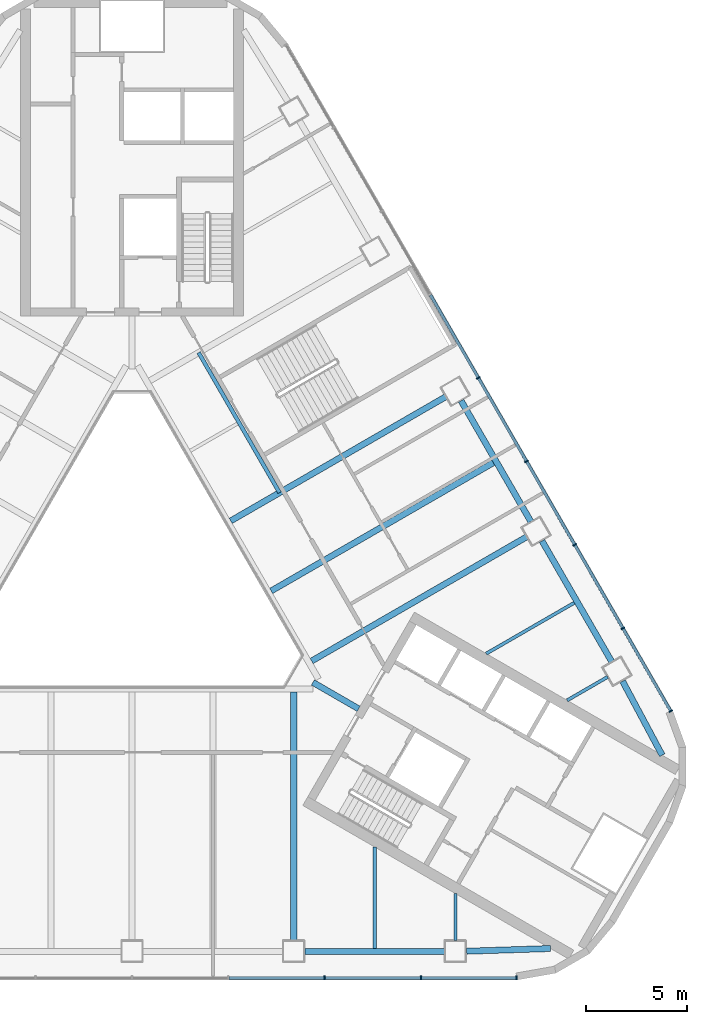
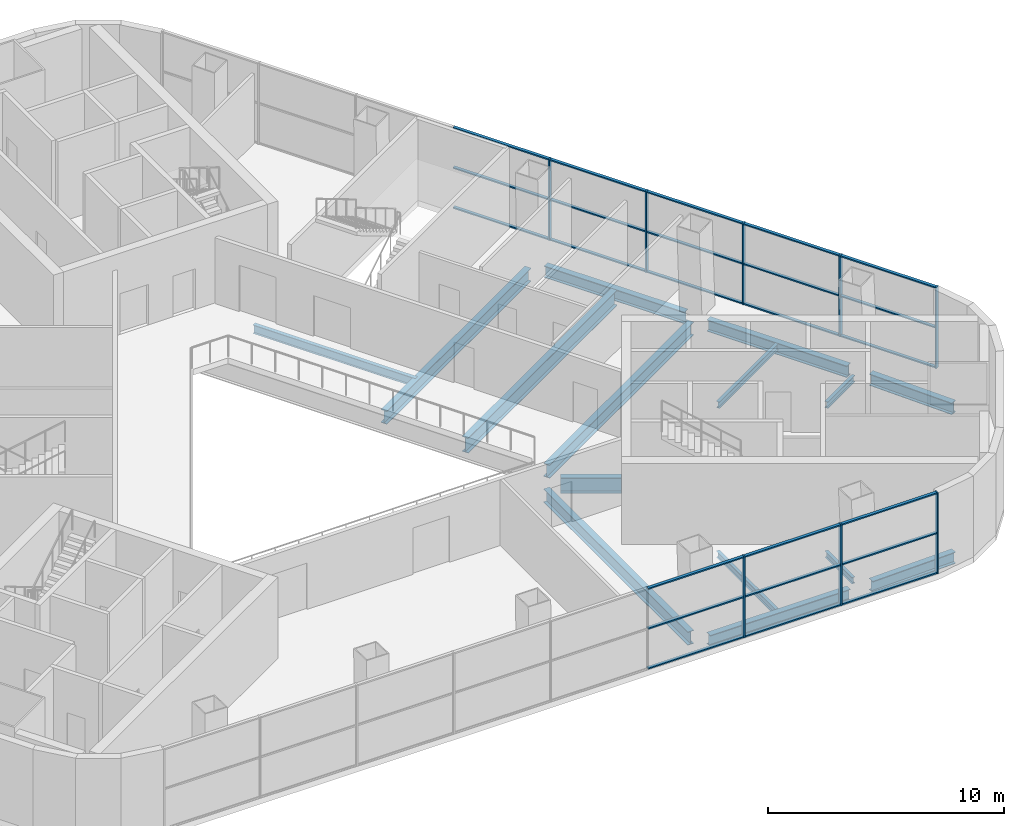
# One storey, part 4 of 12: 32 members, 15 beams, 2 elements without a shape of their own.
"""IFC4 building model written with IfcOpenShell, lengths in metres."""

from ifc_helpers import new_model, si_unit, direction, frame, origin, origin_2d, place, context, subcontext, project, spatial, rectangle, i_section, extrude, material, layer, layer_set, material_profile, profile_set, type_object, element, aggregate, save


model = new_model("IFC4")

# Units and contexts
model_context = context("Model", 3, precision=1e-05, world=origin(), true_north=direction((0.0, 1.0)))
body_context = subcontext(model_context, "Body", "Model", "MODEL_VIEW")
ifc_project = project(units=[si_unit("LENGTHUNIT", "METRE"), si_unit("AREAUNIT", "SQUARE_METRE"), si_unit("VOLUMEUNIT", "CUBIC_METRE"), si_unit("PLANEANGLEUNIT", "RADIAN"), si_unit("MASSUNIT", "GRAM", prefix="KILO")], contexts=[model_context])

# Site, building, storey
site_placement = place(None, origin())
site = spatial("IfcSite", under=ifc_project, at=site_placement, CompositionType="ELEMENT")
building_placement = place(site_placement, origin())
building = spatial("IfcBuilding", under=site, at=building_placement, Name="Apuvela Tower Hotel", CompositionType="ELEMENT")
storey_placement = place(building_placement, frame((0.0, 0.0, 28.5)))
storey = spatial("IfcBuildingStorey", under=building, at=storey_placement, Name="L04", CompositionType="ELEMENT", Elevation=28.5)

# Curtain wall, members
ifc_material_1 = material(Name="Aluminium 6063-T6, dark bronze anodised", Category="aluminium")
ifc_layer = layer(ifc_material_1, 0.199951171875)
ifc_layer_set = layer_set([ifc_layer], Name="ENV-CW-P")
curtain_wall_type = type_object("IfcCurtainWallType", Name="ENV-CW-P", PredefinedType="NOTDEFINED", material=ifc_layer_set)
curtain_wall_1_placement = place(storey_placement, origin())
curtain_wall_1 = element("IfcCurtainWall", 1, at=curtain_wall_1_placement, inside=storey, type_object=curtain_wall_type, Name="Curtain wall CW-P S L04", PredefinedType="NOTDEFINED")
ifc_material_profile_1 = material_profile(ifc_material_1, rectangle(XDim=0.199951171875, YDim=0.06494140625, at=origin_2d()), Name="AL 65x200")
ifc_profile_set_1 = profile_set([ifc_material_profile_1], Name="Aluminium 6063-T6, dark bronze anodised")
member_type_1 = type_object("IfcMemberType", Name="ENV-MULLION-65x200", PredefinedType="MULLION", material=ifc_profile_set_1)
member_1_placement = place(storey_placement, frame((9.496337890625, -19.71435546875, 0.0), z_axis=(0.0, 0.0, 1.0), x_axis=(0.0, 1.0, 0.0)))
member_1 = element("IfcMember", 2, at=member_1_placement, type_object=member_type_1, Name="CW-P mullion 7", PredefinedType="MULLION", context=body_context, shape_type="SweptSolid", body=[
    extrude(rectangle(XDim=0.199951171875, YDim=0.06494140625, at=origin_2d()), origin(), (0.0, 0.0, 1.0), 4.199951171875),
])
member_2_placement = place(storey_placement, frame((14.244384765625, -19.71435546875, 0.0), z_axis=(0.0, 0.0, 1.0), x_axis=(0.0, 1.0, 0.0)))
member_2 = element("IfcMember", 3, at=member_2_placement, type_object=member_type_1, Name="CW-P mullion 8", PredefinedType="MULLION", context=body_context, shape_type="SweptSolid", body=[
    extrude(rectangle(XDim=0.199951171875, YDim=0.06494140625, at=origin_2d()), origin(), (0.0, 0.0, 1.0), 4.199951171875),
])
member_3_placement = place(storey_placement, frame((18.9599609375, -19.71435546875, 0.0), z_axis=(0.0, 0.0, 1.0), x_axis=(0.0, 1.0, 0.0)))
member_3 = element("IfcMember", 4, at=member_3_placement, type_object=member_type_1, Name="CW-P mullion 9", PredefinedType="MULLION", context=body_context, shape_type="SweptSolid", body=[
    extrude(rectangle(XDim=0.199951171875, YDim=0.06494140625, at=origin_2d()), origin(), (0.0, 0.0, 1.0), 4.199951171875),
])

curtain_wall_2_placement = place(storey_placement, origin())
curtain_wall_2 = element("IfcCurtainWall", 5, at=curtain_wall_2_placement, inside=storey, type_object=curtain_wall_type, Name="Curtain wall CW-P NE L04", PredefinedType="NOTDEFINED")
member_4_placement = place(storey_placement, frame((26.55322265625, -6.562744140625, 0.0), z_axis=(0.0, 0.0, 1.0), x_axis=(-0.866024428615, -0.500001689039, 0.0)))
member_4 = element("IfcMember", 6, at=member_4_placement, type_object=member_type_1, Name="CW-P mullion 1", PredefinedType="MULLION", context=body_context, shape_type="SweptSolid", body=[
    extrude(rectangle(XDim=0.199951171875, YDim=0.06494140625, at=origin_2d()), origin(), (0.0, 0.0, 1.0), 4.199951171875),
])
member_5_placement = place(storey_placement, frame((24.1953125, -2.478759765625, 0.0), z_axis=(0.0, 0.0, 1.0), x_axis=(-0.866024428615, -0.500001689039, 0.0)))
member_5 = element("IfcMember", 7, at=member_5_placement, type_object=member_type_1, Name="CW-P mullion 2", PredefinedType="MULLION", context=body_context, shape_type="SweptSolid", body=[
    extrude(rectangle(XDim=0.199951171875, YDim=0.06494140625, at=origin_2d()), origin(), (0.0, 0.0, 1.0), 4.199951171875),
])
member_6_placement = place(storey_placement, frame((21.8212890625, 1.63330078125, 0.0), z_axis=(0.0, 0.0, 1.0), x_axis=(-0.866024428615, -0.500001689039, 0.0)))
member_6 = element("IfcMember", 8, at=member_6_placement, type_object=member_type_1, Name="CW-P mullion 3", PredefinedType="MULLION", context=body_context, shape_type="SweptSolid", body=[
    extrude(rectangle(XDim=0.199951171875, YDim=0.06494140625, at=origin_2d()), origin(), (0.0, 0.0, 1.0), 4.199951171875),
])
member_7_placement = place(storey_placement, frame((19.447265625, 5.7451171875, 0.0), z_axis=(0.0, 0.0, 1.0), x_axis=(-0.866024428615, -0.500001689039, 0.0)))
member_7 = element("IfcMember", 9, at=member_7_placement, type_object=member_type_1, Name="CW-P mullion 4", PredefinedType="MULLION", context=body_context, shape_type="SweptSolid", body=[
    extrude(rectangle(XDim=0.199951171875, YDim=0.06494140625, at=origin_2d()), origin(), (0.0, 0.0, 1.0), 4.199951171875),
])
member_8_placement = place(storey_placement, frame((17.072998046875, 9.857177734375, 0.0), z_axis=(0.0, 0.0, 1.0), x_axis=(-0.866024428615, -0.500001689039, 0.0)))
member_8 = element("IfcMember", 10, at=member_8_placement, type_object=member_type_1, Name="CW-P mullion 5", PredefinedType="MULLION", context=body_context, shape_type="SweptSolid", body=[
    extrude(rectangle(XDim=0.199951171875, YDim=0.06494140625, at=origin_2d()), origin(), (0.0, 0.0, 1.0), 4.199951171875),
])

# Member
ifc_material_profile_2 = material_profile(ifc_material_1, rectangle(XDim=0.14990234375, YDim=0.06494140625, at=origin_2d()), Name="AL 65x150 transom")
ifc_profile_set_2 = profile_set([ifc_material_profile_2], Name="Aluminium 6063-T6, dark bronze anodised")
member_type_2 = type_object("IfcMemberType", Name="ENV-TRANSOM-65x150", PredefinedType="USERDEFINED", material=ifc_profile_set_2)
member_9_placement = place(storey_placement, frame((4.780517578125, -19.71435546875, 0.032470703125), z_axis=(1.0, 0.0, 0.0), x_axis=(0.0, 1.0, 0.0)))
member_9 = element("IfcMember", 11, at=member_9_placement, type_object=member_type_2, Name="CW-P transom 6.1", ObjectType="TRANSOM", PredefinedType="USERDEFINED", context=body_context, shape_type="SweptSolid", body=[
    extrude(rectangle(XDim=0.14990234375, YDim=0.06494140625, at=origin_2d()), origin(), (0.0, 0.0, 1.0), 4.683349609375),
])

member_10_placement = place(storey_placement, frame((4.780517578125, -19.71435546875, 2.10009765625), z_axis=(1.0, 0.0, 0.0), x_axis=(0.0, 1.0, 0.0)))
member_10 = element("IfcMember", 12, at=member_10_placement, type_object=member_type_2, Name="CW-P transom 6.2", ObjectType="TRANSOM", PredefinedType="USERDEFINED", context=body_context, shape_type="SweptSolid", body=[
    extrude(rectangle(XDim=0.14990234375, YDim=0.06494140625, at=origin_2d()), origin(), (0.0, 0.0, 1.0), 4.683349609375),
])

member_11_placement = place(storey_placement, frame((4.780517578125, -19.71435546875, 4.16748046875), z_axis=(1.0, 0.0, 0.0), x_axis=(0.0, 1.0, 0.0)))
member_11 = element("IfcMember", 13, at=member_11_placement, type_object=member_type_2, Name="CW-P transom 6.3", ObjectType="TRANSOM", PredefinedType="USERDEFINED", context=body_context, shape_type="SweptSolid", body=[
    extrude(rectangle(XDim=0.14990234375, YDim=0.06494140625, at=origin_2d()), origin(), (0.0, 0.0, 1.0), 4.683349609375),
])

member_12_placement = place(storey_placement, frame((9.52880859375, -19.71435546875, 0.032470703125), z_axis=(1.0, 0.0, 0.0), x_axis=(0.0, 1.0, 0.0)))
member_12 = element("IfcMember", 14, at=member_12_placement, type_object=member_type_2, Name="CW-P transom 7.1", ObjectType="TRANSOM", PredefinedType="USERDEFINED", context=body_context, shape_type="SweptSolid", body=[
    extrude(rectangle(XDim=0.14990234375, YDim=0.06494140625, at=origin_2d()), origin(), (0.0, 0.0, 1.0), 4.68310546875),
])

member_13_placement = place(storey_placement, frame((9.52880859375, -19.71435546875, 2.10009765625), z_axis=(1.0, 0.0, 0.0), x_axis=(0.0, 1.0, 0.0)))
member_13 = element("IfcMember", 15, at=member_13_placement, type_object=member_type_2, Name="CW-P transom 7.2", ObjectType="TRANSOM", PredefinedType="USERDEFINED", context=body_context, shape_type="SweptSolid", body=[
    extrude(rectangle(XDim=0.14990234375, YDim=0.06494140625, at=origin_2d()), origin(), (0.0, 0.0, 1.0), 4.68310546875),
])

member_14_placement = place(storey_placement, frame((9.52880859375, -19.71435546875, 4.16748046875), z_axis=(1.0, 0.0, 0.0), x_axis=(0.0, 1.0, 0.0)))
member_14 = element("IfcMember", 16, at=member_14_placement, type_object=member_type_2, Name="CW-P transom 7.3", ObjectType="TRANSOM", PredefinedType="USERDEFINED", context=body_context, shape_type="SweptSolid", body=[
    extrude(rectangle(XDim=0.14990234375, YDim=0.06494140625, at=origin_2d()), origin(), (0.0, 0.0, 1.0), 4.68310546875),
])

member_15_placement = place(storey_placement, frame((14.27685546875, -19.71435546875, 0.032470703125), z_axis=(1.0, 0.0, 0.0), x_axis=(0.0, 1.0, 0.0)))
member_15 = element("IfcMember", 17, at=member_15_placement, type_object=member_type_2, Name="CW-P transom 8.1", ObjectType="TRANSOM", PredefinedType="USERDEFINED", context=body_context, shape_type="SweptSolid", body=[
    extrude(rectangle(XDim=0.14990234375, YDim=0.06494140625, at=origin_2d()), origin(), (0.0, 0.0, 1.0), 4.650634765625),
])

member_16_placement = place(storey_placement, frame((14.27685546875, -19.71435546875, 2.10009765625), z_axis=(1.0, 0.0, 0.0), x_axis=(0.0, 1.0, 0.0)))
member_16 = element("IfcMember", 18, at=member_16_placement, type_object=member_type_2, Name="CW-P transom 8.2", ObjectType="TRANSOM", PredefinedType="USERDEFINED", context=body_context, shape_type="SweptSolid", body=[
    extrude(rectangle(XDim=0.14990234375, YDim=0.06494140625, at=origin_2d()), origin(), (0.0, 0.0, 1.0), 4.650634765625),
])

member_17_placement = place(storey_placement, frame((14.27685546875, -19.71435546875, 4.16748046875), z_axis=(1.0, 0.0, 0.0), x_axis=(0.0, 1.0, 0.0)))
member_17 = element("IfcMember", 19, at=member_17_placement, type_object=member_type_2, Name="CW-P transom 8.3", ObjectType="TRANSOM", PredefinedType="USERDEFINED", context=body_context, shape_type="SweptSolid", body=[
    extrude(rectangle(XDim=0.14990234375, YDim=0.06494140625, at=origin_2d()), origin(), (0.0, 0.0, 1.0), 4.650634765625),
])

aggregate(curtain_wall_1, [member_1, member_2, member_3, member_9, member_10, member_11, member_12, member_13, member_14, member_15, member_16, member_17])

member_18_placement = place(storey_placement, frame((26.536865234375, -6.534423828125, 0.032470703125), z_axis=(-0.499978447692, 0.866037846658, 0.0), x_axis=(-0.866037846658, -0.499978447692, 0.0)))
member_18 = element("IfcMember", 20, at=member_18_placement, type_object=member_type_2, Name="CW-P transom 1.1", ObjectType="TRANSOM", PredefinedType="USERDEFINED", context=body_context, shape_type="SweptSolid", body=[
    extrude(rectangle(XDim=0.14990234375, YDim=0.06494140625, at=origin_2d()), origin(), (0.0, 0.0, 1.0), 4.650634765625),
])

member_19_placement = place(storey_placement, frame((26.536865234375, -6.534423828125, 2.10009765625), z_axis=(-0.499978447692, 0.866037846658, 0.0), x_axis=(-0.866037846658, -0.499978447692, 0.0)))
member_19 = element("IfcMember", 21, at=member_19_placement, type_object=member_type_2, Name="CW-P transom 1.2", ObjectType="TRANSOM", PredefinedType="USERDEFINED", context=body_context, shape_type="SweptSolid", body=[
    extrude(rectangle(XDim=0.14990234375, YDim=0.06494140625, at=origin_2d()), origin(), (0.0, 0.0, 1.0), 4.650634765625),
])

member_20_placement = place(storey_placement, frame((26.536865234375, -6.534423828125, 4.16748046875), z_axis=(-0.499978447692, 0.866037846658, 0.0), x_axis=(-0.866037846658, -0.499978447692, 0.0)))
member_20 = element("IfcMember", 22, at=member_20_placement, type_object=member_type_2, Name="CW-P transom 1.3", ObjectType="TRANSOM", PredefinedType="USERDEFINED", context=body_context, shape_type="SweptSolid", body=[
    extrude(rectangle(XDim=0.14990234375, YDim=0.06494140625, at=origin_2d()), origin(), (0.0, 0.0, 1.0), 4.650634765625),
])

member_21_placement = place(storey_placement, frame((24.178955078125, -2.45068359375, 0.032470703125), z_axis=(-0.500002241493, 0.866024109654, 0.0), x_axis=(-0.866024109654, -0.500002241493, 0.0)))
member_21 = element("IfcMember", 23, at=member_21_placement, type_object=member_type_2, Name="CW-P transom 2.1", ObjectType="TRANSOM", PredefinedType="USERDEFINED", context=body_context, shape_type="SweptSolid", body=[
    extrude(rectangle(XDim=0.14990234375, YDim=0.06494140625, at=origin_2d()), origin(), (0.0, 0.0, 1.0), 4.68310546875),
])

member_22_placement = place(storey_placement, frame((24.178955078125, -2.45068359375, 2.10009765625), z_axis=(-0.500002241493, 0.866024109654, 0.0), x_axis=(-0.866024109654, -0.500002241493, 0.0)))
member_22 = element("IfcMember", 24, at=member_22_placement, type_object=member_type_2, Name="CW-P transom 2.2", ObjectType="TRANSOM", PredefinedType="USERDEFINED", context=body_context, shape_type="SweptSolid", body=[
    extrude(rectangle(XDim=0.14990234375, YDim=0.06494140625, at=origin_2d()), origin(), (0.0, 0.0, 1.0), 4.68310546875),
])

member_23_placement = place(storey_placement, frame((24.178955078125, -2.45068359375, 4.16748046875), z_axis=(-0.500002241493, 0.866024109654, 0.0), x_axis=(-0.866024109654, -0.500002241493, 0.0)))
member_23 = element("IfcMember", 25, at=member_23_placement, type_object=member_type_2, Name="CW-P transom 2.3", ObjectType="TRANSOM", PredefinedType="USERDEFINED", context=body_context, shape_type="SweptSolid", body=[
    extrude(rectangle(XDim=0.14990234375, YDim=0.06494140625, at=origin_2d()), origin(), (0.0, 0.0, 1.0), 4.68310546875),
])

member_24_placement = place(storey_placement, frame((21.804931640625, 1.661376953125, 0.032470703125), z_axis=(-0.500002241493, 0.866024109654, 0.0), x_axis=(-0.866024109654, -0.500002241493, 0.0)))
member_24 = element("IfcMember", 26, at=member_24_placement, type_object=member_type_2, Name="CW-P transom 3.1", ObjectType="TRANSOM", PredefinedType="USERDEFINED", context=body_context, shape_type="SweptSolid", body=[
    extrude(rectangle(XDim=0.14990234375, YDim=0.06494140625, at=origin_2d()), origin(), (0.0, 0.0, 1.0), 4.68310546875),
])

member_25_placement = place(storey_placement, frame((21.804931640625, 1.661376953125, 2.10009765625), z_axis=(-0.500002241493, 0.866024109654, 0.0), x_axis=(-0.866024109654, -0.500002241493, 0.0)))
member_25 = element("IfcMember", 27, at=member_25_placement, type_object=member_type_2, Name="CW-P transom 3.2", ObjectType="TRANSOM", PredefinedType="USERDEFINED", context=body_context, shape_type="SweptSolid", body=[
    extrude(rectangle(XDim=0.14990234375, YDim=0.06494140625, at=origin_2d()), origin(), (0.0, 0.0, 1.0), 4.68310546875),
])

member_26_placement = place(storey_placement, frame((21.804931640625, 1.661376953125, 4.16748046875), z_axis=(-0.500002241493, 0.866024109654, 0.0), x_axis=(-0.866024109654, -0.500002241493, 0.0)))
member_26 = element("IfcMember", 28, at=member_26_placement, type_object=member_type_2, Name="CW-P transom 3.3", ObjectType="TRANSOM", PredefinedType="USERDEFINED", context=body_context, shape_type="SweptSolid", body=[
    extrude(rectangle(XDim=0.14990234375, YDim=0.06494140625, at=origin_2d()), origin(), (0.0, 0.0, 1.0), 4.68310546875),
])

member_27_placement = place(storey_placement, frame((19.430908203125, 5.7734375, 0.032470703125), z_axis=(-0.500002241493, 0.866024109654, 0.0), x_axis=(-0.866024109654, -0.500002241493, 0.0)))
member_27 = element("IfcMember", 29, at=member_27_placement, type_object=member_type_2, Name="CW-P transom 4.1", ObjectType="TRANSOM", PredefinedType="USERDEFINED", context=body_context, shape_type="SweptSolid", body=[
    extrude(rectangle(XDim=0.14990234375, YDim=0.06494140625, at=origin_2d()), origin(), (0.0, 0.0, 1.0), 4.68310546875),
])

member_28_placement = place(storey_placement, frame((19.430908203125, 5.7734375, 2.10009765625), z_axis=(-0.500002241493, 0.866024109654, 0.0), x_axis=(-0.866024109654, -0.500002241493, 0.0)))
member_28 = element("IfcMember", 30, at=member_28_placement, type_object=member_type_2, Name="CW-P transom 4.2", ObjectType="TRANSOM", PredefinedType="USERDEFINED", context=body_context, shape_type="SweptSolid", body=[
    extrude(rectangle(XDim=0.14990234375, YDim=0.06494140625, at=origin_2d()), origin(), (0.0, 0.0, 1.0), 4.68310546875),
])

member_29_placement = place(storey_placement, frame((19.430908203125, 5.7734375, 4.16748046875), z_axis=(-0.500002241493, 0.866024109654, 0.0), x_axis=(-0.866024109654, -0.500002241493, 0.0)))
member_29 = element("IfcMember", 31, at=member_29_placement, type_object=member_type_2, Name="CW-P transom 4.3", ObjectType="TRANSOM", PredefinedType="USERDEFINED", context=body_context, shape_type="SweptSolid", body=[
    extrude(rectangle(XDim=0.14990234375, YDim=0.06494140625, at=origin_2d()), origin(), (0.0, 0.0, 1.0), 4.68310546875),
])

member_30_placement = place(storey_placement, frame((17.056884765625, 9.88525390625, 0.032470703125), z_axis=(-0.499979668266, 0.866037141998, 0.0), x_axis=(-0.866037141998, -0.499979668266, 0.0)))
member_30 = element("IfcMember", 32, at=member_30_placement, type_object=member_type_2, Name="CW-P transom 5.1", ObjectType="TRANSOM", PredefinedType="USERDEFINED", context=body_context, shape_type="SweptSolid", body=[
    extrude(rectangle(XDim=0.14990234375, YDim=0.06494140625, at=origin_2d()), origin(), (0.0, 0.0, 1.0), 4.683349609375),
])

member_31_placement = place(storey_placement, frame((17.056884765625, 9.88525390625, 2.10009765625), z_axis=(-0.499979668266, 0.866037141998, 0.0), x_axis=(-0.866037141998, -0.499979668266, 0.0)))
member_31 = element("IfcMember", 33, at=member_31_placement, type_object=member_type_2, Name="CW-P transom 5.2", ObjectType="TRANSOM", PredefinedType="USERDEFINED", context=body_context, shape_type="SweptSolid", body=[
    extrude(rectangle(XDim=0.14990234375, YDim=0.06494140625, at=origin_2d()), origin(), (0.0, 0.0, 1.0), 4.683349609375),
])

member_32_placement = place(storey_placement, frame((17.056884765625, 9.88525390625, 4.16748046875), z_axis=(-0.499979668266, 0.866037141998, 0.0), x_axis=(-0.866037141998, -0.499979668266, 0.0)))
member_32 = element("IfcMember", 34, at=member_32_placement, type_object=member_type_2, Name="CW-P transom 5.3", ObjectType="TRANSOM", PredefinedType="USERDEFINED", context=body_context, shape_type="SweptSolid", body=[
    extrude(rectangle(XDim=0.14990234375, YDim=0.06494140625, at=origin_2d()), origin(), (0.0, 0.0, 1.0), 4.683349609375),
])

aggregate(curtain_wall_2, [member_4, member_5, member_6, member_7, member_8, member_18, member_19, member_20, member_21, member_22, member_23, member_24, member_25, member_26, member_27, member_28, member_29, member_30, member_31, member_32])

# Beams
ifc_material_2 = material(Name="Steel S355", Category="steel")
ifc_material_profile_3 = material_profile(ifc_material_2, i_section(OverallWidth=0.300048828125, OverallDepth=0.68994140625, WebThickness=0.014404296875, FlangeThickness=0.027099609375, at=origin_2d()), Name="HE 700 A")
ifc_profile_set_3 = profile_set([ifc_material_profile_3], Name="Steel S355")
beam_type_1 = type_object("IfcBeamType", Name="STR-B floor beam HE 700 A", PredefinedType="BEAM", material=ifc_profile_set_3)
for number, where, z_axis, x_axis, name in (
    (35, (19.4580078125, 2.0263671875, -0.64501953125), (-0.866025514229, -0.499999808704, 0.0), (0.499999808704, -0.866025514229, 0.0), "Floor beam B6 NE3"),
    (36, (15.470947265625, 8.93212890625, -0.64501953125), (-0.866025514229, -0.499999808704, 0.0), (0.499999808704, -0.866025514229, 0.0), "Floor beam B6 NE5"),
    (37, (7.97412109375, -17.8642578125, -0.64501953125), (0.0, 1.0, 0.0), (-1.0, 0.0, 0.0), "Floor beam B6 S7"),
):
    element("IfcBeam", number, at=place(storey_placement, frame(where, z_axis=z_axis, x_axis=x_axis)), inside=storey, type_object=beam_type_1, Name=name, PredefinedType="BEAM", context=body_context, shape_type="SweptSolid", body=[
        extrude(i_section(OverallWidth=0.300048828125, OverallDepth=0.68994140625, WebThickness=0.014404296875, FlangeThickness=0.027099609375, at=origin_2d()), origin(), (0.0, 0.0, 1.0), 12.2421875),
    ])
ifc_material_profile_4 = material_profile(ifc_material_2, i_section(OverallWidth=0.300048828125, OverallDepth=0.7900390625, WebThickness=0.014892578125, FlangeThickness=0.028076171875, at=origin_2d()), Name="HE 800 A")
ifc_profile_set_4 = profile_set([ifc_material_profile_4], Name="Steel S355")
beam_type_2 = type_object("IfcBeamType", Name="STR-B floor beam HE 800 A", PredefinedType="BEAM", material=ifc_profile_set_4)
beam_1_placement = place(storey_placement, frame((17.810791015625, 5.67919921875, -0.695068359375), z_axis=(-0.866027685155, -0.49999604853, 0.0), x_axis=(0.49999604853, -0.866027685155, 0.0)))
element("IfcBeam", 38, at=beam_1_placement, inside=storey, type_object=beam_type_2, Name="Floor beam B5 NE4", PredefinedType="BEAM", context=body_context, shape_type="SweptSolid", body=[
    extrude(i_section(OverallWidth=0.300048828125, OverallDepth=0.7900390625, WebThickness=0.014892578125, FlangeThickness=0.028076171875, at=origin_2d()), origin(), (0.0, 0.0, 1.0), 12.64208984375),
])
ifc_material_profile_5 = material_profile(ifc_material_2, i_section(OverallWidth=0.159912109375, OverallDepth=0.330078125, WebThickness=0.007568359375, FlangeThickness=0.011474609375, at=origin_2d()), Name="IPE 330")
ifc_profile_set_5 = profile_set([ifc_material_profile_5], Name="Steel S355")
beam_type_3 = type_object("IfcBeamType", Name="STR-B floor beam IPE 330", PredefinedType="BEAM", material=ifc_profile_set_5)
beam_2_placement = place(storey_placement, frame((23.445068359375, -4.87939453125, -0.465087890625), z_axis=(-0.865959852031, -0.500113521783, 0.0), x_axis=(0.500113521783, -0.865959852031, 0.0)))
element("IfcBeam", 39, at=beam_2_placement, inside=storey, type_object=beam_type_3, Name="Floor beam B1 NE1", PredefinedType="BEAM", context=body_context, shape_type="SweptSolid", body=[
    extrude(i_section(OverallWidth=0.159912109375, OverallDepth=0.330078125, WebThickness=0.007568359375, FlangeThickness=0.011474609375, at=origin_2d()), origin(), (0.0, 0.0, 1.0), 2.3056640625),
])
for number, where, z_axis, x_axis, name in (
    (40, (21.798095703125, -1.2265625, -0.465087890625), (-0.866026463129, -0.499998165157, 0.0), (0.499998165157, -0.866026463129, 0.0), "Floor beam B1 NE2"),
    (41, (11.961181640625, -18.264404296875, -0.465087890625), (0.0, 1.0, 0.0), (-1.0, 0.0, 0.0), "Floor beam B1 S8"),
):
    element("IfcBeam", number, at=place(storey_placement, frame(where, z_axis=z_axis, x_axis=x_axis)), inside=storey, type_object=beam_type_3, Name=name, PredefinedType="BEAM", context=body_context, shape_type="SweptSolid", body=[
        extrude(i_section(OverallWidth=0.159912109375, OverallDepth=0.330078125, WebThickness=0.007568359375, FlangeThickness=0.011474609375, at=origin_2d()), origin(), (0.0, 0.0, 1.0), 5.0078125),
    ])
beam_3_placement = place(storey_placement, frame((15.948486328125, -17.8642578125, -0.465087890625), z_axis=(0.0, 1.0, 0.0), x_axis=(-1.0, 0.0, 0.0)))
element("IfcBeam", 42, at=beam_3_placement, inside=storey, type_object=beam_type_3, Name="Floor beam B1 S9", PredefinedType="BEAM", context=body_context, shape_type="SweptSolid", body=[
    extrude(i_section(OverallWidth=0.159912109375, OverallDepth=0.330078125, WebThickness=0.007568359375, FlangeThickness=0.011474609375, at=origin_2d()), origin(), (0.0, 0.0, 1.0), 2.3056640625),
])
ifc_material_profile_6 = material_profile(ifc_material_2, i_section(OverallWidth=0.300048828125, OverallDepth=0.800048828125, WebThickness=0.017578125, FlangeThickness=0.032958984375, at=origin_2d()), Name="HE 800 B")
ifc_profile_set_6 = profile_set([ifc_material_profile_6], Name="Steel S355")
beam_type_4 = type_object("IfcBeamType", Name="STR-GT core tie beam HE 800 B", PredefinedType="BEAM", material=ifc_profile_set_6)
beam_4_placement = place(storey_placement, frame((11.171630859375, -6.449951171875, -0.699951171875), z_axis=(-0.865997922154, 0.500047596559, 0.0), x_axis=(-0.500047596559, -0.865997922154, 0.0)))
element("IfcBeam", 43, at=beam_4_placement, inside=storey, type_object=beam_type_4, Name="Core tie beam GT1 SE", PredefinedType="BEAM", context=body_context, shape_type="SweptSolid", body=[
    extrude(i_section(OverallWidth=0.300048828125, OverallDepth=0.800048828125, WebThickness=0.017578125, FlangeThickness=0.032958984375, at=origin_2d()), origin(), (0.0, 0.0, 1.0), 2.599853515625),
])
ifc_material_profile_7 = material_profile(ifc_material_2, i_section(OverallWidth=0.300048828125, OverallDepth=0.60009765625, WebThickness=0.015380859375, FlangeThickness=0.030029296875, at=origin_2d()), Name="HE 600 B")
ifc_profile_set_7 = profile_set([ifc_material_profile_7], Name="Steel S355")
beam_type_5 = type_object("IfcBeamType", Name="STR-SB spandrel beam HE 600 B", PredefinedType="SPANDREL", material=ifc_profile_set_7)
beam_5_placement = place(storey_placement, frame((8.524169921875, -18.414306640625, -0.60009765625), z_axis=(1.0, 0.0, 0.0), x_axis=(0.0, 1.0, 0.0)))
element("IfcBeam", 44, at=beam_5_placement, inside=storey, type_object=beam_type_5, Name="Spandrel beam SB1 S4", PredefinedType="SPANDREL", context=body_context, shape_type="SweptSolid", body=[
    extrude(i_section(OverallWidth=0.300048828125, OverallDepth=0.60009765625, WebThickness=0.015380859375, FlangeThickness=0.030029296875, at=origin_2d()), origin(), (0.0, 0.0, 1.0), 6.874267578125),
])
for number, where, z_axis, x_axis, name in (
    (45, (23.646484375, -4.128173828125, -0.60009765625), (-0.499997097509, 0.866027079532, 0.0), (-0.866027079532, -0.499997097509, 0.0), "Spandrel beam SB1 NE1"),
    (46, (19.659423828125, 2.777587890625, -0.60009765625), (-0.499997097509, 0.866027079532, 0.0), (-0.866027079532, -0.499997097509, 0.0), "Spandrel beam SB1 NE2"),
):
    element("IfcBeam", number, at=place(storey_placement, frame(where, z_axis=z_axis, x_axis=x_axis)), inside=storey, type_object=beam_type_5, Name=name, PredefinedType="SPANDREL", context=body_context, shape_type="SweptSolid", body=[
        extrude(i_section(OverallWidth=0.300048828125, OverallDepth=0.60009765625, WebThickness=0.015380859375, FlangeThickness=0.030029296875, at=origin_2d()), origin(), (0.0, 0.0, 1.0), 6.8740234375),
    ])
beam_6_placement = place(storey_placement, frame((16.498291015625, -18.396484375, -0.60009765625), z_axis=(0.999480666343, 0.032224177374, 0.0), x_axis=(-0.032224177374, 0.999480666343, 0.0)))
element("IfcBeam", 47, at=beam_6_placement, inside=storey, type_object=beam_type_5, Name="Spandrel beam SB1 S5-SE", PredefinedType="SPANDREL", context=body_context, shape_type="SweptSolid", body=[
    extrude(i_section(OverallWidth=0.300048828125, OverallDepth=0.60009765625, WebThickness=0.015380859375, FlangeThickness=0.030029296875, at=origin_2d()), origin(), (0.0, 0.0, 1.0), 4.13671875),
])
beam_7_placement = place(storey_placement, frame((24.18115234375, -5.089599609375, -0.60009765625), z_axis=(0.471806991, -0.88170185621, 0.0), x_axis=(0.88170185621, 0.471806991, 0.0)))
element("IfcBeam", 48, at=beam_7_placement, inside=storey, type_object=beam_type_5, Name="Spandrel beam SB1 NE1-SE", PredefinedType="SPANDREL", context=body_context, shape_type="SweptSolid", body=[
    extrude(i_section(OverallWidth=0.300048828125, OverallDepth=0.60009765625, WebThickness=0.015380859375, FlangeThickness=0.030029296875, at=origin_2d()), origin(), (0.0, 0.0, 1.0), 4.136474609375),
])
ifc_material_profile_8 = material_profile(ifc_material_2, i_section(OverallWidth=0.18994140625, OverallDepth=0.449951171875, WebThickness=0.009521484375, FlangeThickness=0.0146484375, at=origin_2d()), Name="IPE 450")
ifc_profile_set_8 = profile_set([ifc_material_profile_8], Name="Steel S355")
beam_type_6 = type_object("IfcBeamType", Name="STR-TB stair trimmer beam IPE 450", PredefinedType="BEAM", material=ifc_profile_set_8)
beam_8_placement = place(storey_placement, frame((7.274658203125, 4.199951171875, -0.52490234375), z_axis=(-0.500001613937, 0.866024471975, 0.0), x_axis=(-0.866024471975, -0.500001613937, 0.0)))
element("IfcBeam", 49, at=beam_8_placement, inside=storey, type_object=beam_type_6, Name="Stair trimmer beam TB3 PS1", PredefinedType="BEAM", context=body_context, shape_type="SweptSolid", body=[
    extrude(i_section(OverallWidth=0.18994140625, OverallDepth=0.449951171875, WebThickness=0.009521484375, FlangeThickness=0.0146484375, at=origin_2d()), origin(), (0.0, 0.0, 1.0), 7.97412109375),
])

save(model, "model.ifc")
